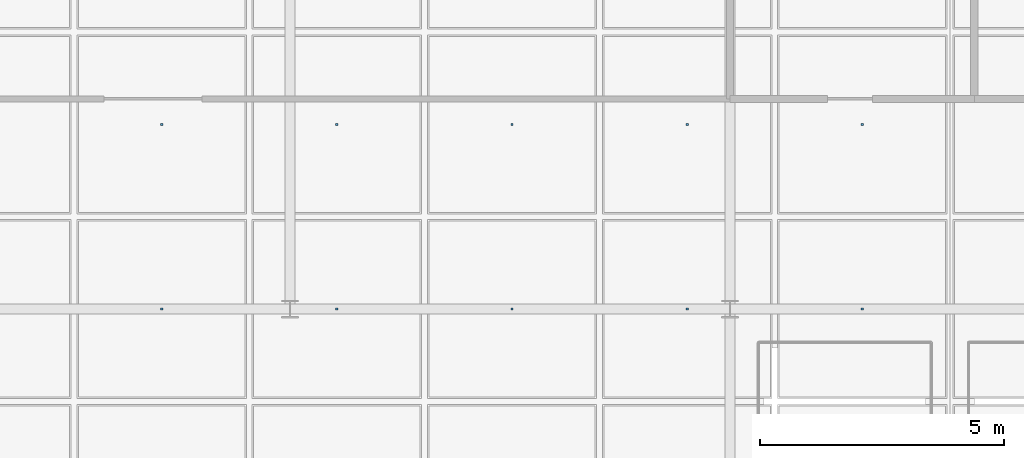
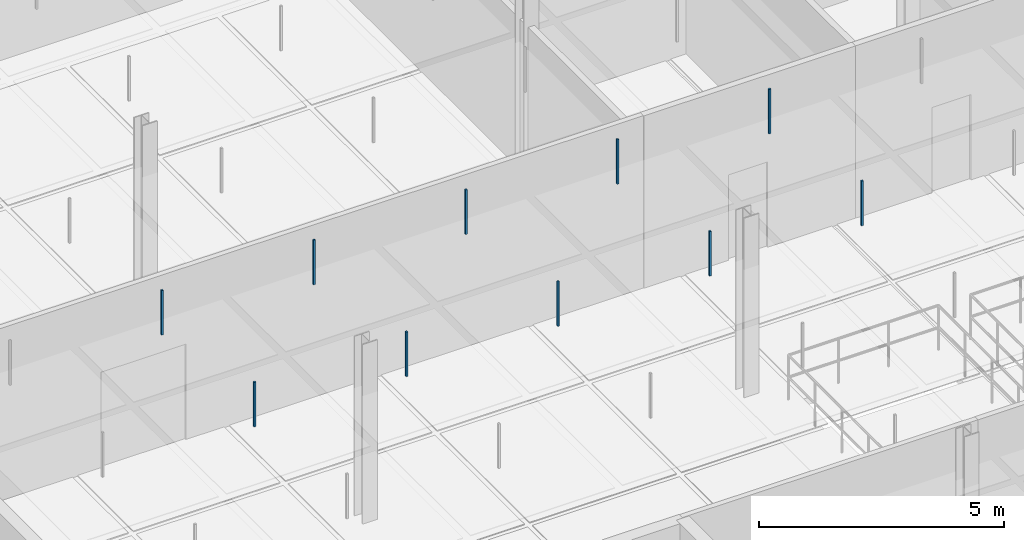
# One storey, part 82 of 130: 10 discrete accessories.
"""IFC4 building model written with IfcOpenShell, lengths in metres."""

from ifc_helpers import new_model, si_unit, direction, frame, origin, origin_2d, place, context, subcontext, project, spatial, rectangle, extrude, material, type_object, element, save


model = new_model("IFC4")

# Units and contexts
model_context = context("Model", 3, precision=1e-05, world=origin(), true_north=direction((0.0, 1.0)))
body_context = subcontext(model_context, "Body", "Model", "MODEL_VIEW")
ifc_project = project(units=[si_unit("LENGTHUNIT", "METRE"), si_unit("AREAUNIT", "SQUARE_METRE"), si_unit("VOLUMEUNIT", "CUBIC_METRE"), si_unit("PLANEANGLEUNIT", "RADIAN"), si_unit("MASSUNIT", "GRAM", prefix="KILO"), si_unit("THERMODYNAMICTEMPERATUREUNIT", "KELVIN"), si_unit("POWERUNIT", "WATT")], contexts=[model_context])

# Site, building, storey
site_placement = place(None, origin())
site = spatial("IfcSite", under=ifc_project, at=site_placement, CompositionType="ELEMENT")
building_placement = place(site_placement, origin())
building = spatial("IfcBuilding", under=site, at=building_placement, Name="Tallowbark Science Centre", CompositionType="ELEMENT")
storey_placement = place(building_placement, frame((0.0, 0.0, 5.39990234375)))
storey = spatial("IfcBuildingStorey", under=building, at=storey_placement, Name="L01", CompositionType="ELEMENT", Elevation=5.39990234375)

# Discrete accessories
ifc_material = material(Name="Galvanised Steel Grade C350L0 (350 MPa)", Category="steel")
discrete_accessory_type = type_object("IfcDiscreteAccessoryType", Name="ACC-CLG-HNG", PredefinedType="BRACKET", material=ifc_material)
for number, where, z_axis, x_axis, name in (
    (1, (64.875, 22.5, 3.20947265625), (0.0, 0.0, 1.0), (1.0, 0.0, 0.0), "Ceiling Hanger Bracket L01-490"),
    (2, (64.875, 26.27783203125, 3.20947265625), (0.0, 0.0, 1.0), (1.0, 0.0, 0.0), "Ceiling Hanger Bracket L01-491"),
    (3, (68.458251953125, 22.5, 3.20947265625), (0.0, 0.0, 1.0), (1.0, 0.0, 0.0), "Ceiling Hanger Bracket L01-496"),
    (4, (68.458251953125, 26.27783203125, 3.20947265625), (0.0, 0.0, 1.0), (1.0, 0.0, 0.0), "Ceiling Hanger Bracket L01-497"),
    (5, (72.041748046875, 22.5, 3.20947265625), (0.0, 0.0, 1.0), (1.0, 0.0, 0.0), "Ceiling Hanger Bracket L01-502"),
    (6, (72.041748046875, 26.27783203125, 3.20947265625), (0.0, 0.0, 1.0), (1.0, 0.0, 0.0), "Ceiling Hanger Bracket L01-503"),
    (7, (75.625, 22.5, 3.20947265625), (0.0, 0.0, 1.0), (1.0, 0.0, 0.0), "Ceiling Hanger Bracket L01-511"),
    (8, (75.625, 26.27783203125, 3.20947265625), (0.0, 0.0, 1.0), (1.0, 0.0, 0.0), "Ceiling Hanger Bracket L01-512"),
    (9, (79.208251953125, 22.5, 3.20947265625), (0.0, 0.0, 1.0), (1.0, 0.0, 0.0), "Ceiling Hanger Bracket L01-520"),
    (10, (79.208251953125, 26.27783203125, 3.20947265625), (0.0, 0.0, 1.0), (1.0, 0.0, 0.0), "Ceiling Hanger Bracket L01-521"),
):
    element("IfcDiscreteAccessory", number, at=place(storey_placement, frame(where, z_axis=z_axis, x_axis=x_axis)), inside=storey, type_object=discrete_accessory_type, Name=name, PredefinedType="BRACKET", context=body_context, shape_type="SweptSolid", body=[
        extrude(rectangle(XDim=0.044921875, YDim=0.044921875, at=origin_2d()), origin(), (0.0, 0.0, 1.0), 1.113525390625),
    ])

save(model, "model.ifc")
